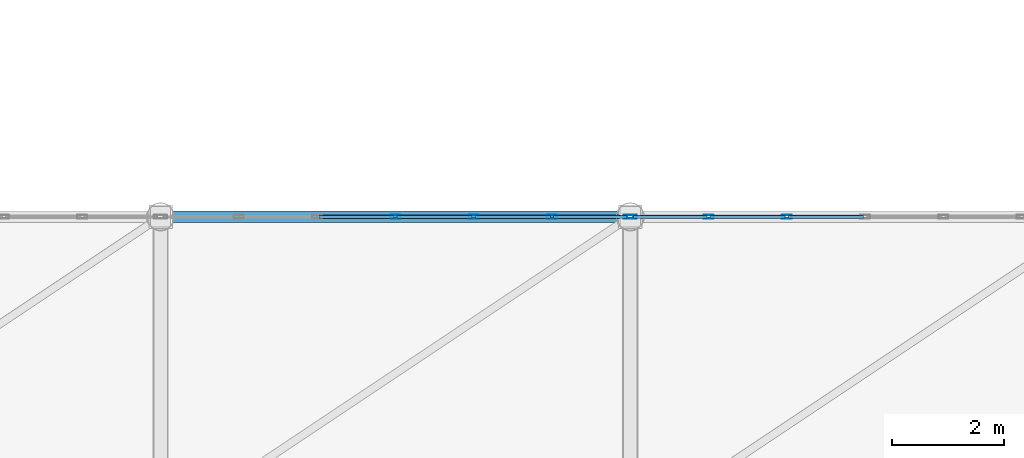
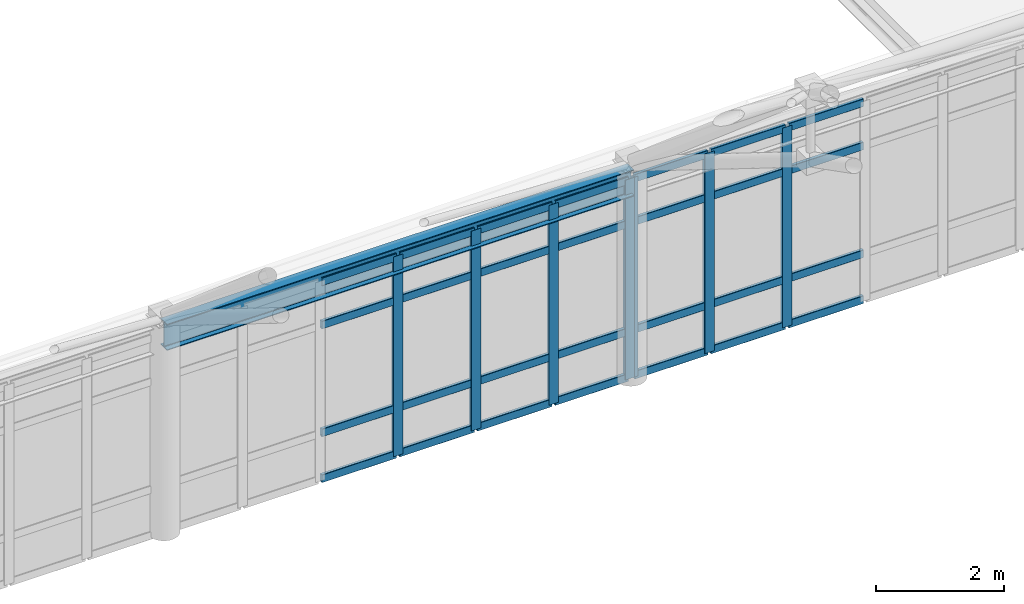
# One storey, part 97 of 184: 35 members, 1 beam, 2 elements without a shape of their own.
"""IFC4 building model written with IfcOpenShell, lengths in metres."""

from ifc_helpers import new_model, si_unit, direction, frame, origin, origin_2d, place, context, subcontext, project, spatial, hollow_rectangle, i_section, extrude, material, layer, layer_set, material_profile, profile_set, type_object, element, aggregate, save


model = new_model("IFC4")

# Units and contexts
model_context = context("Model", 3, precision=1e-05, world=origin(), true_north=direction((0.0, 1.0)))
body_context = subcontext(model_context, "Body", "Model", "MODEL_VIEW")
ifc_project = project(units=[si_unit("LENGTHUNIT", "METRE"), si_unit("AREAUNIT", "SQUARE_METRE"), si_unit("VOLUMEUNIT", "CUBIC_METRE"), si_unit("PLANEANGLEUNIT", "RADIAN"), si_unit("MASSUNIT", "GRAM", prefix="KILO")], contexts=[model_context])

# Site, building, storey
site_placement = place(None, origin())
site = spatial("IfcSite", under=ifc_project, at=site_placement, CompositionType="ELEMENT")
building_placement = place(site_placement, origin())
building = spatial("IfcBuilding", under=site, at=building_placement, Name="Qalvenar Corner Mobility Hub", CompositionType="ELEMENT")
storey_placement = place(building_placement, frame((0.0, 0.0, 9.0)))
storey = spatial("IfcBuildingStorey", under=building, at=storey_placement, Name="L02", CompositionType="ELEMENT", Elevation=9.0)

# Beam
ifc_material_1 = material(Name="Steel S355", Category="steel")
ifc_material_profile_1 = material_profile(ifc_material_1, i_section(OverallWidth=0.199951171875, OverallDepth=0.5, WebThickness=0.01025390625, FlangeThickness=0.01611328125, FilletRadius=0.02099609375, at=origin_2d()), Name="IPE500")
ifc_profile_set_1 = profile_set([ifc_material_profile_1], Name="Steel S355")
beam_type = type_object("IfcBeamType", Name="BM-IPE500", PredefinedType="BEAM", material=ifc_profile_set_1)
beam_placement = place(storey_placement, frame((92.39990234375, 33.60009765625, 3.75), z_axis=(1.0, 0.0, 0.0), x_axis=(0.0, 1.0, 0.0)))
element("IfcBeam", 1, at=beam_placement, inside=storey, type_object=beam_type, Name="Space Frame Ring Beam SFRB-6-33", PredefinedType="BEAM", context=body_context, shape_type="SweptSolid", body=[
    extrude(i_section(OverallWidth=0.199951171875, OverallDepth=0.5, WebThickness=0.01025390625, FlangeThickness=0.01611328125, FilletRadius=0.02099609375, at=origin_2d()), origin(), (0.0, 0.0, 1.0), 8.400146484375),
])

# Curtain wall, members
ifc_material_2 = material(Name="Anodised Aluminium and Low-E Glazing", Category="aluminium")
ifc_layer = layer(ifc_material_2, 0.179931640625)
ifc_layer_set = layer_set([ifc_layer], Name="Anodised Aluminium and Low-E Glazing")
curtain_wall_type = type_object("IfcCurtainWallType", Name="CW-CONC-84X42", PredefinedType="NOTDEFINED", material=ifc_layer_set)
curtain_wall_1_placement = place(storey_placement, origin())
curtain_wall_1 = element("IfcCurtainWall", 2, at=curtain_wall_1_placement, inside=storey, type_object=curtain_wall_type, Name="Glazed Curtain Wall CW-V1-L02-N5", PredefinedType="NOTDEFINED")
ifc_material_3 = material(Name="Anodised Aluminium 6063-T6", Category="aluminium")
ifc_material_profile_2 = material_profile(ifc_material_3, hollow_rectangle(XDim=0.06494140625, YDim=0.179931640625, WallThickness=0.00390625, InnerFilletRadius=0.00390625, OuterFilletRadius=0.008056640625, at=origin_2d()), Name="RHS180x65x4")
ifc_profile_set_2 = profile_set([ifc_material_profile_2], Name="Anodised Aluminium 6063-T6")
member_type_1 = type_object("IfcMemberType", Name="CW-MUL180", PredefinedType="MULLION", material=ifc_profile_set_2)
member_1_placement = place(storey_placement, frame((100.77001953125, 33.60009765625, 0.0), z_axis=(0.0, 0.0, 1.0), x_axis=(0.0, -1.0, 0.0)))
member_1 = element("IfcMember", 3, at=member_1_placement, type_object=member_type_1, Name="CW-02 mullion 1", PredefinedType="MULLION", context=body_context, shape_type="SweptSolid", body=[
    extrude(hollow_rectangle(XDim=0.06494140625, YDim=0.179931640625, WallThickness=0.00390625, InnerFilletRadius=0.00390625, OuterFilletRadius=0.008056640625, at=origin_2d()), origin(), (0.0, 0.0, 1.0), 3.800048828125),
])
member_2_placement = place(storey_placement, frame((99.39990234375, 33.60009765625, 0.0), z_axis=(0.0, 0.0, 1.0), x_axis=(0.0, -1.0, 0.0)))
member_2 = element("IfcMember", 4, at=member_2_placement, type_object=member_type_1, Name="CW-02 mullion 2", PredefinedType="MULLION", context=body_context, shape_type="SweptSolid", body=[
    extrude(hollow_rectangle(XDim=0.06494140625, YDim=0.179931640625, WallThickness=0.00390625, InnerFilletRadius=0.00390625, OuterFilletRadius=0.008056640625, at=origin_2d()), origin(), (0.0, 0.0, 1.0), 3.800048828125),
])
member_3_placement = place(storey_placement, frame((98.0, 33.60009765625, 0.0), z_axis=(0.0, 0.0, 1.0), x_axis=(0.0, -1.0, 0.0)))
member_3 = element("IfcMember", 5, at=member_3_placement, type_object=member_type_1, Name="CW-02 mullion 3", PredefinedType="MULLION", context=body_context, shape_type="SweptSolid", body=[
    extrude(hollow_rectangle(XDim=0.06494140625, YDim=0.179931640625, WallThickness=0.00390625, InnerFilletRadius=0.00390625, OuterFilletRadius=0.008056640625, at=origin_2d()), origin(), (0.0, 0.0, 1.0), 3.800048828125),
])
member_4_placement = place(storey_placement, frame((96.60009765625, 33.60009765625, 0.0), z_axis=(0.0, 0.0, 1.0), x_axis=(0.0, -1.0, 0.0)))
member_4 = element("IfcMember", 6, at=member_4_placement, type_object=member_type_1, Name="CW-02 mullion 4", PredefinedType="MULLION", context=body_context, shape_type="SweptSolid", body=[
    extrude(hollow_rectangle(XDim=0.06494140625, YDim=0.179931640625, WallThickness=0.00390625, InnerFilletRadius=0.00390625, OuterFilletRadius=0.008056640625, at=origin_2d()), origin(), (0.0, 0.0, 1.0), 3.800048828125),
])

curtain_wall_2_placement = place(storey_placement, origin())
curtain_wall_2 = element("IfcCurtainWall", 7, at=curtain_wall_2_placement, inside=storey, type_object=curtain_wall_type, Name="Glazed Curtain Wall CW-V1-L02-N6", PredefinedType="NOTDEFINED")
member_5_placement = place(storey_placement, frame((103.60009765625, 33.60009765625, 0.0), z_axis=(0.0, 0.0, 1.0), x_axis=(0.0, -1.0, 0.0)))
member_5 = element("IfcMember", 8, at=member_5_placement, type_object=member_type_1, Name="CW-02 mullion 5", PredefinedType="MULLION", context=body_context, shape_type="SweptSolid", body=[
    extrude(hollow_rectangle(XDim=0.06494140625, YDim=0.179931640625, WallThickness=0.00390625, InnerFilletRadius=0.00390625, OuterFilletRadius=0.008056640625, at=origin_2d()), origin(), (0.0, 0.0, 1.0), 3.800048828125),
])
member_6_placement = place(storey_placement, frame((102.199951171875, 33.60009765625, 0.0), z_axis=(0.0, 0.0, 1.0), x_axis=(0.0, -1.0, 0.0)))
member_6 = element("IfcMember", 9, at=member_6_placement, type_object=member_type_1, Name="CW-02 mullion 6", PredefinedType="MULLION", context=body_context, shape_type="SweptSolid", body=[
    extrude(hollow_rectangle(XDim=0.06494140625, YDim=0.179931640625, WallThickness=0.00390625, InnerFilletRadius=0.00390625, OuterFilletRadius=0.008056640625, at=origin_2d()), origin(), (0.0, 0.0, 1.0), 3.800048828125),
])
member_7_placement = place(storey_placement, frame((100.830078125, 33.60009765625, 0.0), z_axis=(0.0, 0.0, 1.0), x_axis=(0.0, -1.0, 0.0)))
member_7 = element("IfcMember", 10, at=member_7_placement, type_object=member_type_1, Name="CW-02 mullion 7", PredefinedType="MULLION", context=body_context, shape_type="SweptSolid", body=[
    extrude(hollow_rectangle(XDim=0.06494140625, YDim=0.179931640625, WallThickness=0.00390625, InnerFilletRadius=0.00390625, OuterFilletRadius=0.008056640625, at=origin_2d()), origin(), (0.0, 0.0, 1.0), 3.800048828125),
])

# Member
ifc_material_profile_3 = material_profile(ifc_material_3, hollow_rectangle(XDim=0.06005859375, YDim=0.14990234375, WallThickness=0.00341796875, InnerFilletRadius=0.00341796875, OuterFilletRadius=0.007080078125, at=origin_2d()), Name="RHS150x60x3.5")
ifc_profile_set_3 = profile_set([ifc_material_profile_3], Name="Anodised Aluminium 6063-T6")
member_type_2 = type_object("IfcMemberType", Name="CW-TRN150", PredefinedType="USERDEFINED", material=ifc_profile_set_3)
member_8_placement = place(storey_placement, frame((100.739990234375, 33.60009765625, 0.027587890625), z_axis=(-1.0, 0.0, 0.0), x_axis=(0.0, -1.0, 0.0)))
member_8 = element("IfcMember", 11, at=member_8_placement, type_object=member_type_2, Name="CW-02 transom 1.1", ObjectType="TRANSOM", PredefinedType="USERDEFINED", context=body_context, shape_type="SweptSolid", body=[
    extrude(hollow_rectangle(XDim=0.06005859375, YDim=0.14990234375, WallThickness=0.00341796875, InnerFilletRadius=0.00341796875, OuterFilletRadius=0.007080078125, at=origin_2d()), origin(), (0.0, 0.0, 1.0), 1.31005859375),
])

member_9_placement = place(storey_placement, frame((100.739990234375, 33.60009765625, 0.89990234375), z_axis=(-1.0, 0.0, 0.0), x_axis=(0.0, -1.0, 0.0)))
member_9 = element("IfcMember", 12, at=member_9_placement, type_object=member_type_2, Name="CW-02 transom 1.2", ObjectType="TRANSOM", PredefinedType="USERDEFINED", context=body_context, shape_type="SweptSolid", body=[
    extrude(hollow_rectangle(XDim=0.06005859375, YDim=0.14990234375, WallThickness=0.00341796875, InnerFilletRadius=0.00341796875, OuterFilletRadius=0.007080078125, at=origin_2d()), origin(), (0.0, 0.0, 1.0), 1.31005859375),
])

member_10_placement = place(storey_placement, frame((100.739990234375, 33.60009765625, 2.949951171875), z_axis=(-1.0, 0.0, 0.0), x_axis=(0.0, -1.0, 0.0)))
member_10 = element("IfcMember", 13, at=member_10_placement, type_object=member_type_2, Name="CW-02 transom 1.3", ObjectType="TRANSOM", PredefinedType="USERDEFINED", context=body_context, shape_type="SweptSolid", body=[
    extrude(hollow_rectangle(XDim=0.06005859375, YDim=0.14990234375, WallThickness=0.00341796875, InnerFilletRadius=0.00341796875, OuterFilletRadius=0.007080078125, at=origin_2d()), origin(), (0.0, 0.0, 1.0), 1.31005859375),
])

member_11_placement = place(storey_placement, frame((100.739990234375, 33.60009765625, 3.7724609375), z_axis=(-1.0, 0.0, 0.0), x_axis=(0.0, -1.0, 0.0)))
member_11 = element("IfcMember", 14, at=member_11_placement, type_object=member_type_2, Name="CW-02 transom 1.4", ObjectType="TRANSOM", PredefinedType="USERDEFINED", context=body_context, shape_type="SweptSolid", body=[
    extrude(hollow_rectangle(XDim=0.06005859375, YDim=0.14990234375, WallThickness=0.00341796875, InnerFilletRadius=0.00341796875, OuterFilletRadius=0.007080078125, at=origin_2d()), origin(), (0.0, 0.0, 1.0), 1.31005859375),
])

member_12_placement = place(storey_placement, frame((99.3701171875, 33.60009765625, 0.027587890625), z_axis=(-1.0, 0.0, 0.0), x_axis=(0.0, -1.0, 0.0)))
member_12 = element("IfcMember", 15, at=member_12_placement, type_object=member_type_2, Name="CW-02 transom 2.1", ObjectType="TRANSOM", PredefinedType="USERDEFINED", context=body_context, shape_type="SweptSolid", body=[
    extrude(hollow_rectangle(XDim=0.06005859375, YDim=0.14990234375, WallThickness=0.00341796875, InnerFilletRadius=0.00341796875, OuterFilletRadius=0.007080078125, at=origin_2d()), origin(), (0.0, 0.0, 1.0), 1.340087890625),
])

member_13_placement = place(storey_placement, frame((99.3701171875, 33.60009765625, 0.89990234375), z_axis=(-1.0, 0.0, 0.0), x_axis=(0.0, -1.0, 0.0)))
member_13 = element("IfcMember", 16, at=member_13_placement, type_object=member_type_2, Name="CW-02 transom 2.2", ObjectType="TRANSOM", PredefinedType="USERDEFINED", context=body_context, shape_type="SweptSolid", body=[
    extrude(hollow_rectangle(XDim=0.06005859375, YDim=0.14990234375, WallThickness=0.00341796875, InnerFilletRadius=0.00341796875, OuterFilletRadius=0.007080078125, at=origin_2d()), origin(), (0.0, 0.0, 1.0), 1.340087890625),
])

member_14_placement = place(storey_placement, frame((99.3701171875, 33.60009765625, 2.949951171875), z_axis=(-1.0, 0.0, 0.0), x_axis=(0.0, -1.0, 0.0)))
member_14 = element("IfcMember", 17, at=member_14_placement, type_object=member_type_2, Name="CW-02 transom 2.3", ObjectType="TRANSOM", PredefinedType="USERDEFINED", context=body_context, shape_type="SweptSolid", body=[
    extrude(hollow_rectangle(XDim=0.06005859375, YDim=0.14990234375, WallThickness=0.00341796875, InnerFilletRadius=0.00341796875, OuterFilletRadius=0.007080078125, at=origin_2d()), origin(), (0.0, 0.0, 1.0), 1.340087890625),
])

member_15_placement = place(storey_placement, frame((99.3701171875, 33.60009765625, 3.7724609375), z_axis=(-1.0, 0.0, 0.0), x_axis=(0.0, -1.0, 0.0)))
member_15 = element("IfcMember", 18, at=member_15_placement, type_object=member_type_2, Name="CW-02 transom 2.4", ObjectType="TRANSOM", PredefinedType="USERDEFINED", context=body_context, shape_type="SweptSolid", body=[
    extrude(hollow_rectangle(XDim=0.06005859375, YDim=0.14990234375, WallThickness=0.00341796875, InnerFilletRadius=0.00341796875, OuterFilletRadius=0.007080078125, at=origin_2d()), origin(), (0.0, 0.0, 1.0), 1.340087890625),
])

member_16_placement = place(storey_placement, frame((97.969970703125, 33.60009765625, 0.027587890625), z_axis=(-1.0, 0.0, 0.0), x_axis=(0.0, -1.0, 0.0)))
member_16 = element("IfcMember", 19, at=member_16_placement, type_object=member_type_2, Name="CW-02 transom 3.1", ObjectType="TRANSOM", PredefinedType="USERDEFINED", context=body_context, shape_type="SweptSolid", body=[
    extrude(hollow_rectangle(XDim=0.06005859375, YDim=0.14990234375, WallThickness=0.00341796875, InnerFilletRadius=0.00341796875, OuterFilletRadius=0.007080078125, at=origin_2d()), origin(), (0.0, 0.0, 1.0), 1.340087890625),
])

member_17_placement = place(storey_placement, frame((97.969970703125, 33.60009765625, 0.89990234375), z_axis=(-1.0, 0.0, 0.0), x_axis=(0.0, -1.0, 0.0)))
member_17 = element("IfcMember", 20, at=member_17_placement, type_object=member_type_2, Name="CW-02 transom 3.2", ObjectType="TRANSOM", PredefinedType="USERDEFINED", context=body_context, shape_type="SweptSolid", body=[
    extrude(hollow_rectangle(XDim=0.06005859375, YDim=0.14990234375, WallThickness=0.00341796875, InnerFilletRadius=0.00341796875, OuterFilletRadius=0.007080078125, at=origin_2d()), origin(), (0.0, 0.0, 1.0), 1.340087890625),
])

member_18_placement = place(storey_placement, frame((97.969970703125, 33.60009765625, 2.949951171875), z_axis=(-1.0, 0.0, 0.0), x_axis=(0.0, -1.0, 0.0)))
member_18 = element("IfcMember", 21, at=member_18_placement, type_object=member_type_2, Name="CW-02 transom 3.3", ObjectType="TRANSOM", PredefinedType="USERDEFINED", context=body_context, shape_type="SweptSolid", body=[
    extrude(hollow_rectangle(XDim=0.06005859375, YDim=0.14990234375, WallThickness=0.00341796875, InnerFilletRadius=0.00341796875, OuterFilletRadius=0.007080078125, at=origin_2d()), origin(), (0.0, 0.0, 1.0), 1.340087890625),
])

member_19_placement = place(storey_placement, frame((97.969970703125, 33.60009765625, 3.7724609375), z_axis=(-1.0, 0.0, 0.0), x_axis=(0.0, -1.0, 0.0)))
member_19 = element("IfcMember", 22, at=member_19_placement, type_object=member_type_2, Name="CW-02 transom 3.4", ObjectType="TRANSOM", PredefinedType="USERDEFINED", context=body_context, shape_type="SweptSolid", body=[
    extrude(hollow_rectangle(XDim=0.06005859375, YDim=0.14990234375, WallThickness=0.00341796875, InnerFilletRadius=0.00341796875, OuterFilletRadius=0.007080078125, at=origin_2d()), origin(), (0.0, 0.0, 1.0), 1.340087890625),
])

member_20_placement = place(storey_placement, frame((96.570068359375, 33.60009765625, 0.027587890625), z_axis=(-1.0, 0.0, 0.0), x_axis=(0.0, -1.0, 0.0)))
member_20 = element("IfcMember", 23, at=member_20_placement, type_object=member_type_2, Name="CW-02 transom 4.1", ObjectType="TRANSOM", PredefinedType="USERDEFINED", context=body_context, shape_type="SweptSolid", body=[
    extrude(hollow_rectangle(XDim=0.06005859375, YDim=0.14990234375, WallThickness=0.00341796875, InnerFilletRadius=0.00341796875, OuterFilletRadius=0.007080078125, at=origin_2d()), origin(), (0.0, 0.0, 1.0), 1.340087890625),
])

member_21_placement = place(storey_placement, frame((96.570068359375, 33.60009765625, 0.89990234375), z_axis=(-1.0, 0.0, 0.0), x_axis=(0.0, -1.0, 0.0)))
member_21 = element("IfcMember", 24, at=member_21_placement, type_object=member_type_2, Name="CW-02 transom 4.2", ObjectType="TRANSOM", PredefinedType="USERDEFINED", context=body_context, shape_type="SweptSolid", body=[
    extrude(hollow_rectangle(XDim=0.06005859375, YDim=0.14990234375, WallThickness=0.00341796875, InnerFilletRadius=0.00341796875, OuterFilletRadius=0.007080078125, at=origin_2d()), origin(), (0.0, 0.0, 1.0), 1.340087890625),
])

member_22_placement = place(storey_placement, frame((96.570068359375, 33.60009765625, 2.949951171875), z_axis=(-1.0, 0.0, 0.0), x_axis=(0.0, -1.0, 0.0)))
member_22 = element("IfcMember", 25, at=member_22_placement, type_object=member_type_2, Name="CW-02 transom 4.3", ObjectType="TRANSOM", PredefinedType="USERDEFINED", context=body_context, shape_type="SweptSolid", body=[
    extrude(hollow_rectangle(XDim=0.06005859375, YDim=0.14990234375, WallThickness=0.00341796875, InnerFilletRadius=0.00341796875, OuterFilletRadius=0.007080078125, at=origin_2d()), origin(), (0.0, 0.0, 1.0), 1.340087890625),
])

member_23_placement = place(storey_placement, frame((96.570068359375, 33.60009765625, 3.7724609375), z_axis=(-1.0, 0.0, 0.0), x_axis=(0.0, -1.0, 0.0)))
member_23 = element("IfcMember", 26, at=member_23_placement, type_object=member_type_2, Name="CW-02 transom 4.4", ObjectType="TRANSOM", PredefinedType="USERDEFINED", context=body_context, shape_type="SweptSolid", body=[
    extrude(hollow_rectangle(XDim=0.06005859375, YDim=0.14990234375, WallThickness=0.00341796875, InnerFilletRadius=0.00341796875, OuterFilletRadius=0.007080078125, at=origin_2d()), origin(), (0.0, 0.0, 1.0), 1.340087890625),
])

aggregate(curtain_wall_1, [member_1, member_2, member_3, member_4, member_8, member_9, member_10, member_11, member_12, member_13, member_14, member_15, member_16, member_17, member_18, member_19, member_20, member_21, member_22, member_23])

member_24_placement = place(storey_placement, frame((104.969970703125, 33.60009765625, 0.027587890625), z_axis=(-1.0, 0.0, 0.0), x_axis=(0.0, -1.0, 0.0)))
member_24 = element("IfcMember", 27, at=member_24_placement, type_object=member_type_2, Name="CW-02 transom 4.1", ObjectType="TRANSOM", PredefinedType="USERDEFINED", context=body_context, shape_type="SweptSolid", body=[
    extrude(hollow_rectangle(XDim=0.06005859375, YDim=0.14990234375, WallThickness=0.00341796875, InnerFilletRadius=0.00341796875, OuterFilletRadius=0.007080078125, at=origin_2d()), origin(), (0.0, 0.0, 1.0), 1.340087890625),
])

member_25_placement = place(storey_placement, frame((104.969970703125, 33.60009765625, 0.89990234375), z_axis=(-1.0, 0.0, 0.0), x_axis=(0.0, -1.0, 0.0)))
member_25 = element("IfcMember", 28, at=member_25_placement, type_object=member_type_2, Name="CW-02 transom 4.2", ObjectType="TRANSOM", PredefinedType="USERDEFINED", context=body_context, shape_type="SweptSolid", body=[
    extrude(hollow_rectangle(XDim=0.06005859375, YDim=0.14990234375, WallThickness=0.00341796875, InnerFilletRadius=0.00341796875, OuterFilletRadius=0.007080078125, at=origin_2d()), origin(), (0.0, 0.0, 1.0), 1.340087890625),
])

member_26_placement = place(storey_placement, frame((104.969970703125, 33.60009765625, 2.949951171875), z_axis=(-1.0, 0.0, 0.0), x_axis=(0.0, -1.0, 0.0)))
member_26 = element("IfcMember", 29, at=member_26_placement, type_object=member_type_2, Name="CW-02 transom 4.3", ObjectType="TRANSOM", PredefinedType="USERDEFINED", context=body_context, shape_type="SweptSolid", body=[
    extrude(hollow_rectangle(XDim=0.06005859375, YDim=0.14990234375, WallThickness=0.00341796875, InnerFilletRadius=0.00341796875, OuterFilletRadius=0.007080078125, at=origin_2d()), origin(), (0.0, 0.0, 1.0), 1.340087890625),
])

member_27_placement = place(storey_placement, frame((104.969970703125, 33.60009765625, 3.7724609375), z_axis=(-1.0, 0.0, 0.0), x_axis=(0.0, -1.0, 0.0)))
member_27 = element("IfcMember", 30, at=member_27_placement, type_object=member_type_2, Name="CW-02 transom 4.4", ObjectType="TRANSOM", PredefinedType="USERDEFINED", context=body_context, shape_type="SweptSolid", body=[
    extrude(hollow_rectangle(XDim=0.06005859375, YDim=0.14990234375, WallThickness=0.00341796875, InnerFilletRadius=0.00341796875, OuterFilletRadius=0.007080078125, at=origin_2d()), origin(), (0.0, 0.0, 1.0), 1.340087890625),
])

member_28_placement = place(storey_placement, frame((103.570068359375, 33.60009765625, 0.027587890625), z_axis=(-1.0, 0.0, 0.0), x_axis=(0.0, -1.0, 0.0)))
member_28 = element("IfcMember", 31, at=member_28_placement, type_object=member_type_2, Name="CW-02 transom 5.1", ObjectType="TRANSOM", PredefinedType="USERDEFINED", context=body_context, shape_type="SweptSolid", body=[
    extrude(hollow_rectangle(XDim=0.06005859375, YDim=0.14990234375, WallThickness=0.00341796875, InnerFilletRadius=0.00341796875, OuterFilletRadius=0.007080078125, at=origin_2d()), origin(), (0.0, 0.0, 1.0), 1.340087890625),
])

member_29_placement = place(storey_placement, frame((103.570068359375, 33.60009765625, 0.89990234375), z_axis=(-1.0, 0.0, 0.0), x_axis=(0.0, -1.0, 0.0)))
member_29 = element("IfcMember", 32, at=member_29_placement, type_object=member_type_2, Name="CW-02 transom 5.2", ObjectType="TRANSOM", PredefinedType="USERDEFINED", context=body_context, shape_type="SweptSolid", body=[
    extrude(hollow_rectangle(XDim=0.06005859375, YDim=0.14990234375, WallThickness=0.00341796875, InnerFilletRadius=0.00341796875, OuterFilletRadius=0.007080078125, at=origin_2d()), origin(), (0.0, 0.0, 1.0), 1.340087890625),
])

member_30_placement = place(storey_placement, frame((103.570068359375, 33.60009765625, 2.949951171875), z_axis=(-1.0, 0.0, 0.0), x_axis=(0.0, -1.0, 0.0)))
member_30 = element("IfcMember", 33, at=member_30_placement, type_object=member_type_2, Name="CW-02 transom 5.3", ObjectType="TRANSOM", PredefinedType="USERDEFINED", context=body_context, shape_type="SweptSolid", body=[
    extrude(hollow_rectangle(XDim=0.06005859375, YDim=0.14990234375, WallThickness=0.00341796875, InnerFilletRadius=0.00341796875, OuterFilletRadius=0.007080078125, at=origin_2d()), origin(), (0.0, 0.0, 1.0), 1.340087890625),
])

member_31_placement = place(storey_placement, frame((103.570068359375, 33.60009765625, 3.7724609375), z_axis=(-1.0, 0.0, 0.0), x_axis=(0.0, -1.0, 0.0)))
member_31 = element("IfcMember", 34, at=member_31_placement, type_object=member_type_2, Name="CW-02 transom 5.4", ObjectType="TRANSOM", PredefinedType="USERDEFINED", context=body_context, shape_type="SweptSolid", body=[
    extrude(hollow_rectangle(XDim=0.06005859375, YDim=0.14990234375, WallThickness=0.00341796875, InnerFilletRadius=0.00341796875, OuterFilletRadius=0.007080078125, at=origin_2d()), origin(), (0.0, 0.0, 1.0), 1.340087890625),
])

member_32_placement = place(storey_placement, frame((102.169921875, 33.60009765625, 0.027587890625), z_axis=(-1.0, 0.0, 0.0), x_axis=(0.0, -1.0, 0.0)))
member_32 = element("IfcMember", 35, at=member_32_placement, type_object=member_type_2, Name="CW-02 transom 6.1", ObjectType="TRANSOM", PredefinedType="USERDEFINED", context=body_context, shape_type="SweptSolid", body=[
    extrude(hollow_rectangle(XDim=0.06005859375, YDim=0.14990234375, WallThickness=0.00341796875, InnerFilletRadius=0.00341796875, OuterFilletRadius=0.007080078125, at=origin_2d()), origin(), (0.0, 0.0, 1.0), 1.309814453125),
])

member_33_placement = place(storey_placement, frame((102.169921875, 33.60009765625, 0.89990234375), z_axis=(-1.0, 0.0, 0.0), x_axis=(0.0, -1.0, 0.0)))
member_33 = element("IfcMember", 36, at=member_33_placement, type_object=member_type_2, Name="CW-02 transom 6.2", ObjectType="TRANSOM", PredefinedType="USERDEFINED", context=body_context, shape_type="SweptSolid", body=[
    extrude(hollow_rectangle(XDim=0.06005859375, YDim=0.14990234375, WallThickness=0.00341796875, InnerFilletRadius=0.00341796875, OuterFilletRadius=0.007080078125, at=origin_2d()), origin(), (0.0, 0.0, 1.0), 1.309814453125),
])

member_34_placement = place(storey_placement, frame((102.169921875, 33.60009765625, 2.949951171875), z_axis=(-1.0, 0.0, 0.0), x_axis=(0.0, -1.0, 0.0)))
member_34 = element("IfcMember", 37, at=member_34_placement, type_object=member_type_2, Name="CW-02 transom 6.3", ObjectType="TRANSOM", PredefinedType="USERDEFINED", context=body_context, shape_type="SweptSolid", body=[
    extrude(hollow_rectangle(XDim=0.06005859375, YDim=0.14990234375, WallThickness=0.00341796875, InnerFilletRadius=0.00341796875, OuterFilletRadius=0.007080078125, at=origin_2d()), origin(), (0.0, 0.0, 1.0), 1.309814453125),
])

member_35_placement = place(storey_placement, frame((102.169921875, 33.60009765625, 3.7724609375), z_axis=(-1.0, 0.0, 0.0), x_axis=(0.0, -1.0, 0.0)))
member_35 = element("IfcMember", 38, at=member_35_placement, type_object=member_type_2, Name="CW-02 transom 6.4", ObjectType="TRANSOM", PredefinedType="USERDEFINED", context=body_context, shape_type="SweptSolid", body=[
    extrude(hollow_rectangle(XDim=0.06005859375, YDim=0.14990234375, WallThickness=0.00341796875, InnerFilletRadius=0.00341796875, OuterFilletRadius=0.007080078125, at=origin_2d()), origin(), (0.0, 0.0, 1.0), 1.309814453125),
])

aggregate(curtain_wall_2, [member_5, member_6, member_7, member_24, member_25, member_26, member_27, member_28, member_29, member_30, member_31, member_32, member_33, member_34, member_35])

save(model, "model.ifc")
